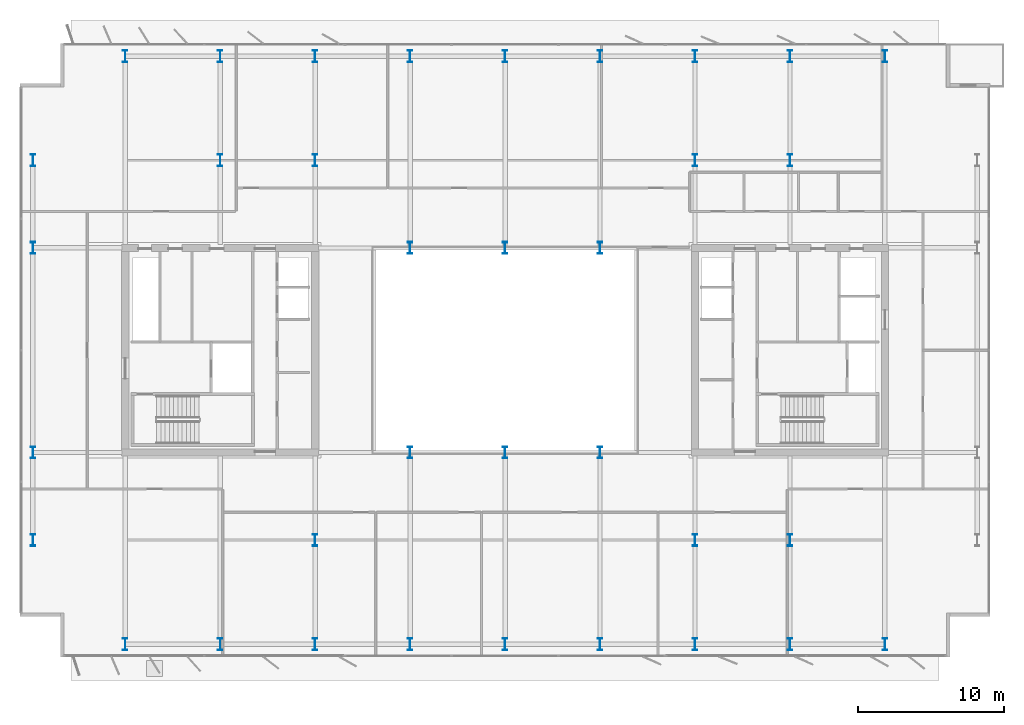
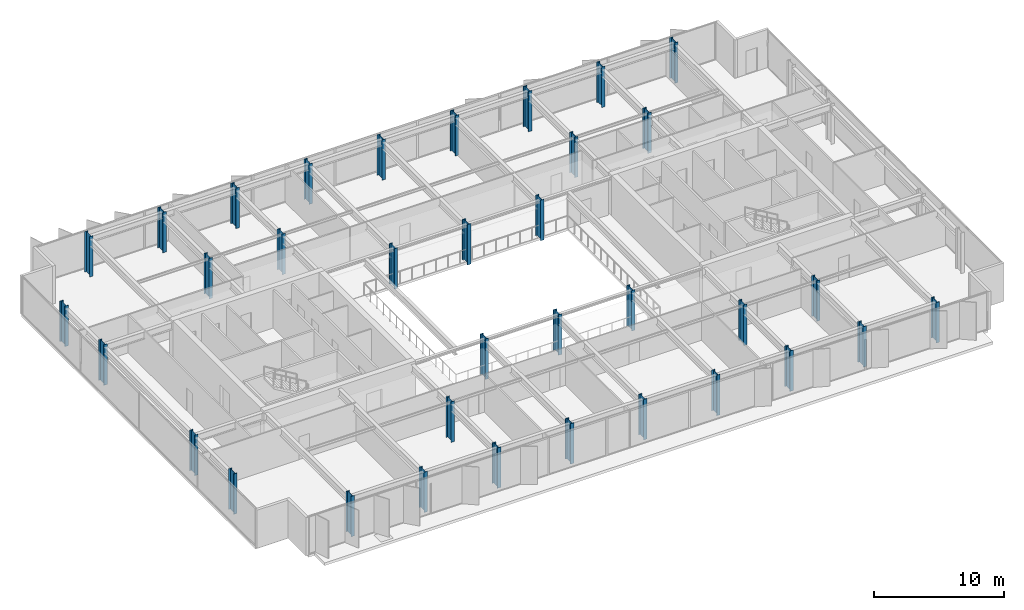
# One storey, part 1 of 23: 35 columns.
"""IFC4 building model written with IfcOpenShell, lengths in metres."""

from ifc_helpers import new_model, si_unit, direction, frame, origin, origin_2d, place, context, subcontext, project, spatial, i_section, extrude, material, material_profile, profile_set, type_object, element, save


model = new_model("IFC4")

# Units and contexts
model_context = context("Model", 3, precision=1e-05, world=origin(), true_north=direction((0.0, 1.0)))
body_context = subcontext(model_context, "Body", "Model", "MODEL_VIEW")
ifc_project = project(units=[si_unit("LENGTHUNIT", "METRE"), si_unit("AREAUNIT", "SQUARE_METRE"), si_unit("VOLUMEUNIT", "CUBIC_METRE"), si_unit("PLANEANGLEUNIT", "RADIAN"), si_unit("MASSUNIT", "GRAM", prefix="KILO")], contexts=[model_context])

# Site, building, storey
site_placement = place(None, origin())
site = spatial("IfcSite", under=ifc_project, at=site_placement, CompositionType="ELEMENT")
building_placement = place(site_placement, origin())
building = spatial("IfcBuilding", under=site, at=building_placement, Name="Putna Gate Headquarters", CompositionType="ELEMENT")
storey_placement = place(building_placement, frame((0.0, 0.0, 202.39990234375)))
storey = spatial("IfcBuildingStorey", under=building, at=storey_placement, Name="L50", CompositionType="ELEMENT", Elevation=202.39990234375)

# Columns
ifc_material = material(Name="Steel S460M", Category="steel")
ifc_material_profile_1 = material_profile(ifc_material, i_section(OverallWidth=0.302978515625, OverallDepth=0.81396484375, WebThickness=0.02099609375, FlangeThickness=0.0400390625, at=origin_2d()), Name="Steel S460M")
ifc_profile_set_1 = profile_set([ifc_material_profile_1], Name="Steel S460M")
column_type_1 = type_object("IfcColumnType", Name="COL-STL-HEM800-EXT", PredefinedType="COLUMN", material=ifc_profile_set_1)
for number, where, z_axis, x_axis, name in (
    (1, (13.0, 5.8798828125, 0.0), (0.0, 0.0, 1.0), (1.0, 0.0, 0.0), "L50 Column CP-S13"),
    (2, (13.0, 46.1201171875, 0.0), (0.0, 0.0, 1.0), (1.0, 0.0, 0.0), "L50 Column CP-N13"),
    (3, (19.5, 5.8798828125, 0.0), (0.0, 0.0, 1.0), (1.0, 0.0, 0.0), "L50 Column CP-S19"),
    (4, (19.5, 46.1201171875, 0.0), (0.0, 0.0, 1.0), (1.0, 0.0, 0.0), "L50 Column CP-N19"),
    (5, (26.0, 5.8798828125, 0.0), (0.0, 0.0, 1.0), (1.0, 0.0, 0.0), "L50 Column CP-S26"),
    (6, (26.0, 46.1201171875, 0.0), (0.0, 0.0, 1.0), (1.0, 0.0, 0.0), "L50 Column CP-N26"),
    (7, (32.5, 5.8798828125, 0.0), (0.0, 0.0, 1.0), (1.0, 0.0, 0.0), "L50 Column CP-S32"),
    (8, (32.5, 46.1201171875, 0.0), (0.0, 0.0, 1.0), (1.0, 0.0, 0.0), "L50 Column CP-N32"),
    (9, (39.0, 5.8798828125, 0.0), (0.0, 0.0, 1.0), (1.0, 0.0, 0.0), "L50 Column CP-S39"),
    (10, (39.0, 46.1201171875, 0.0), (0.0, 0.0, 1.0), (1.0, 0.0, 0.0), "L50 Column CP-N39"),
    (11, (45.5, 5.8798828125, 0.0), (0.0, 0.0, 1.0), (1.0, 0.0, 0.0), "L50 Column CP-S45"),
    (12, (45.5, 46.1201171875, 0.0), (0.0, 0.0, 1.0), (1.0, 0.0, 0.0), "L50 Column CP-N45"),
    (13, (52.0, 5.8798828125, 0.0), (0.0, 0.0, 1.0), (1.0, 0.0, 0.0), "L50 Column CP-S52"),
    (14, (52.0, 46.1201171875, 0.0), (0.0, 0.0, 1.0), (1.0, 0.0, 0.0), "L50 Column CP-N52"),
    (15, (58.5, 5.8798828125, 0.0), (0.0, 0.0, 1.0), (1.0, 0.0, 0.0), "L50 Column CP-S58"),
    (16, (58.5, 46.1201171875, 0.0), (0.0, 0.0, 1.0), (1.0, 0.0, 0.0), "L50 Column CP-N58"),
    (17, (65.0, 5.8798828125, 0.0), (0.0, 0.0, 1.0), (1.0, 0.0, 0.0), "L50 Column CP-S65"),
    (18, (65.0, 46.1201171875, 0.0), (0.0, 0.0, 1.0), (1.0, 0.0, 0.0), "L50 Column CP-N65"),
    (19, (6.679931640625, 13.0, 0.0), (0.0, 0.0, 1.0), (1.0, 0.0, 0.0), "L50 Column CP-W13"),
    (20, (6.679931640625, 19.0, 0.0), (0.0, 0.0, 1.0), (1.0, 0.0, 0.0), "L50 Column CP-W19"),
    (21, (6.679931640625, 33.0, 0.0), (0.0, 0.0, 1.0), (1.0, 0.0, 0.0), "L50 Column CP-W33"),
    (22, (6.679931640625, 39.0, 0.0), (0.0, 0.0, 1.0), (1.0, 0.0, 0.0), "L50 Column CP-W39"),
):
    element("IfcColumn", number, at=place(storey_placement, frame(where, z_axis=z_axis, x_axis=x_axis)), inside=storey, type_object=column_type_1, Name=name, PredefinedType="COLUMN", context=body_context, shape_type="SweptSolid", body=[
        extrude(i_section(OverallWidth=0.302978515625, OverallDepth=0.81396484375, WebThickness=0.02099609375, FlangeThickness=0.0400390625, at=origin_2d()), origin(), (0.0, 0.0, 1.0), 3.800048828125),
    ])
ifc_material_profile_2 = material_profile(ifc_material, i_section(OverallWidth=0.302978515625, OverallDepth=0.81396484375, WebThickness=0.02099609375, FlangeThickness=0.0400390625, at=origin_2d()), Name="Steel S460M")
ifc_profile_set_2 = profile_set([ifc_material_profile_2], Name="Steel S460M")
column_type_2 = type_object("IfcColumnType", Name="COL-STL-HEM800-INT", PredefinedType="COLUMN", material=ifc_profile_set_2)
for number, where, z_axis, x_axis, name in (
    (23, (19.5, 39.0, 0.0), (0.0, 0.0, 1.0), (1.0, 0.0, 0.0), "L50 Column CSI-WN"),
    (24, (58.5, 13.0, 0.0), (0.0, 0.0, 1.0), (1.0, 0.0, 0.0), "L50 Column CSI-ES"),
    (25, (58.5, 39.0, 0.0), (0.0, 0.0, 1.0), (1.0, 0.0, 0.0), "L50 Column CSI-EN"),
    (26, (32.5, 19.0, 0.0), (0.0, 0.0, 1.0), (1.0, 0.0, 0.0), "L50 Column CAI-S32"),
    (27, (32.5, 33.0, 0.0), (0.0, 0.0, 1.0), (1.0, 0.0, 0.0), "L50 Column CAI-N32"),
    (28, (39.0, 19.0, 0.0), (0.0, 0.0, 1.0), (1.0, 0.0, 0.0), "L50 Column CAI-S39"),
    (29, (39.0, 33.0, 0.0), (0.0, 0.0, 1.0), (1.0, 0.0, 0.0), "L50 Column CAI-N39"),
    (30, (45.5, 19.0, 0.0), (0.0, 0.0, 1.0), (1.0, 0.0, 0.0), "L50 Column CAI-S45"),
    (31, (45.5, 33.0, 0.0), (0.0, 0.0, 1.0), (1.0, 0.0, 0.0), "L50 Column CAI-N45"),
    (32, (26.0, 13.0, 0.0), (0.0, 0.0, 1.0), (1.0, 0.0, 0.0), "L50 Column CAP-WS"),
    (33, (26.0, 39.0, 0.0), (0.0, 0.0, 1.0), (1.0, 0.0, 0.0), "L50 Column CAP-WN"),
    (34, (52.0, 13.0, 0.0), (0.0, 0.0, 1.0), (1.0, 0.0, 0.0), "L50 Column CAP-ES"),
    (35, (52.0, 39.0, 0.0), (0.0, 0.0, 1.0), (1.0, 0.0, 0.0), "L50 Column CAP-EN"),
):
    element("IfcColumn", number, at=place(storey_placement, frame(where, z_axis=z_axis, x_axis=x_axis)), inside=storey, type_object=column_type_2, Name=name, PredefinedType="COLUMN", context=body_context, shape_type="SweptSolid", body=[
        extrude(i_section(OverallWidth=0.302978515625, OverallDepth=0.81396484375, WebThickness=0.02099609375, FlangeThickness=0.0400390625, at=origin_2d()), origin(), (0.0, 0.0, 1.0), 3.800048828125),
    ])

save(model, "model.ifc")
